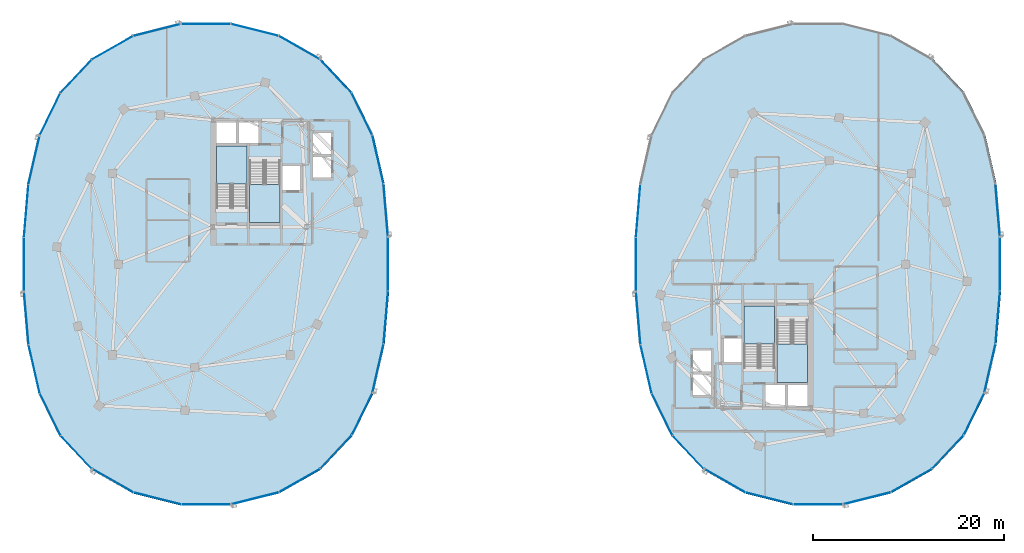
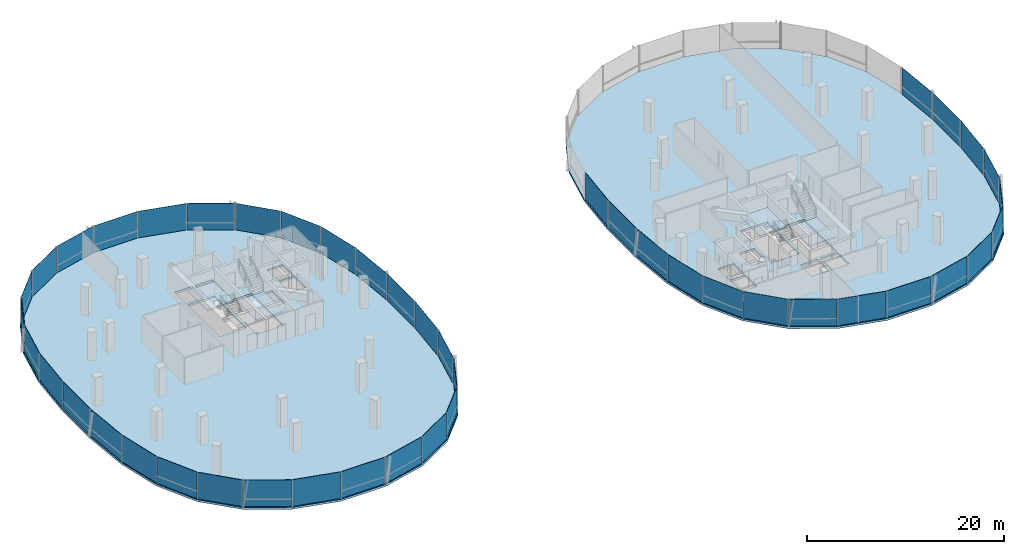
# One storey, part 13 of 24: 45 plates, 6 slabs, 12 elements without a shape of their own.
"""IFC4 building model written with IfcOpenShell, lengths in metres."""

from ifc_helpers import new_model, si_unit, direction, frame, origin, origin_2d, place, context, subcontext, project, spatial, polyline, rectangle, outline, extrude, material, layer, layer_set, type_object, element, aggregate, save


model = new_model("IFC4")

# Units and contexts
model_context = context("Model", 3, precision=1e-05, world=origin(), true_north=direction((0.0, 1.0)))
body_context = subcontext(model_context, "Body", "Model", "MODEL_VIEW")
ifc_project = project(units=[si_unit("LENGTHUNIT", "METRE"), si_unit("AREAUNIT", "SQUARE_METRE"), si_unit("VOLUMEUNIT", "CUBIC_METRE"), si_unit("PLANEANGLEUNIT", "RADIAN"), si_unit("MASSUNIT", "GRAM", prefix="KILO"), si_unit("THERMODYNAMICTEMPERATUREUNIT", "KELVIN"), si_unit("POWERUNIT", "WATT")], contexts=[model_context])

# Site, building, storey
site_placement = place(None, origin())
site = spatial("IfcSite", under=ifc_project, at=site_placement, CompositionType="ELEMENT")
building_placement = place(site_placement, origin())
building = spatial("IfcBuilding", under=site, at=building_placement, Name="Cundina Bronze Exchange", CompositionType="ELEMENT")
storey_placement = place(building_placement, frame((0.0, 0.0, 227.800048828125)))
storey = spatial("IfcBuildingStorey", under=building, at=storey_placement, Name="L60", CompositionType="ELEMENT", Elevation=227.800048828125)

# Curtain wall, plates
ifc_material_1 = material(Name="Anodised Bronze Aluminium 6063-T6", Category="aluminium")
curtain_wall_type = type_object("IfcCurtainWallType", Name="CWS-UPP-OFF", PredefinedType="NOTDEFINED", material=ifc_material_1)
curtain_wall_1_placement = place(storey_placement, origin())
curtain_wall_1 = element("IfcCurtainWall", 1, at=curtain_wall_1_placement, inside=storey, type_object=curtain_wall_type, Name="L60 CW-05 Curtain Wall Run CWR-L60-W1", PredefinedType="NOTDEFINED")
ifc_material_2 = material(Name="Heat-Strengthened Solar-Control Bronze Safety Glass 28mm", Category="glass")
ifc_layer_1 = layer(ifc_material_2, 0.028076171875, Name="Heat-Strengthened Solar-Control Bronze Safety Glass 28mm", Category="glass")
ifc_layer_set_1 = layer_set([ifc_layer_1], Name="Heat-Strengthened Solar-Control Bronze Safety Glass 28mm")
plate_type_1 = type_object("IfcPlateType", Name="PLT-GLZ-VIS28", PredefinedType="CURTAIN_PANEL", material=ifc_layer_set_1)
plate_1_placement = place(storey_placement, frame((-13.198486328125, 5.60693359375, 0.02001953125), z_axis=(0.0, 0.0, 1.0), x_axis=(-0.083747411454, 0.996487015006, 0.0)))
plate_1 = element("IfcPlate", 2, at=plate_1_placement, type_object=plate_type_1, Name="CW-05 Glazed Panel 1", PredefinedType="CURTAIN_PANEL", context=body_context, shape_type="SweptSolid", body=[
    extrude(rectangle(XDim=5.474609375, YDim=0.028076171875, at=origin_2d()), origin(), (0.0, 0.0, 1.0), 3.300048828125),
])
plate_2_placement = place(storey_placement, frame((-14.01611328125, 10.92578125, 0.02001953125), z_axis=(0.0, 0.0, 1.0), x_axis=(-0.223284141459, 0.974753400698, 0.0)))
plate_2 = element("IfcPlate", 3, at=plate_2_placement, type_object=plate_type_1, Name="CW-05 Glazed Panel 2", PredefinedType="CURTAIN_PANEL", context=body_context, shape_type="SweptSolid", body=[
    extrude(rectangle(XDim=5.167724609375, YDim=0.028076171875, at=origin_2d()), origin(), (0.0, 0.0, 1.0), 3.300048828125),
])
plate_3_placement = place(storey_placement, frame((-15.685302734375, 15.686767578125, 0.02001953125), z_axis=(0.0, 0.0, 1.0), x_axis=(-0.440503330345, 0.897750976582, 0.0)))
plate_3 = element("IfcPlate", 4, at=plate_3_placement, type_object=plate_type_1, Name="CW-05 Glazed Panel 3", PredefinedType="CURTAIN_PANEL", context=body_context, shape_type="SweptSolid", body=[
    extrude(rectangle(XDim=4.863525390625, YDim=0.028076171875, at=origin_2d()), origin(), (0.0, 0.0, 1.0), 3.300048828125),
])
plate_4_placement = place(storey_placement, frame((-18.4208984375, 19.6552734375, 0.02001953125), z_axis=(0.0, 0.0, 1.0), x_axis=(-0.684343512797, 0.72915976061, 0.0)))
plate_4 = element("IfcPlate", 5, at=plate_4_placement, type_object=plate_type_1, Name="CW-05 Glazed Panel 4", PredefinedType="CURTAIN_PANEL", context=body_context, shape_type="SweptSolid", body=[
    extrude(rectangle(XDim=4.773193359375, YDim=0.028076171875, at=origin_2d()), origin(), (0.0, 0.0, 1.0), 3.300048828125),
])
plate_5_placement = place(storey_placement, frame((-26.88720703125, 24.49609375, 0.02001953125), z_axis=(0.0, 0.0, 1.0), x_axis=(-0.969731542251, 0.244173577528, 0.0)))
plate_5 = element("IfcPlate", 6, at=plate_5_placement, type_object=plate_type_1, Name="CW-05 Glazed Panel 6", PredefinedType="CURTAIN_PANEL", context=body_context, shape_type="SweptSolid", body=[
    extrude(rectangle(XDim=5.0908203125, YDim=0.028076171875, at=origin_2d()), origin(), (0.0, 0.0, 1.0), 3.300048828125),
])
plate_6_placement = place(storey_placement, frame((-32.0, 25.125, 0.02001953125), z_axis=(0.0, 0.0, 1.0), x_axis=(-1.0, 0.0, 0.0)))
plate_6 = element("IfcPlate", 7, at=plate_6_placement, type_object=plate_type_1, Name="CW-05 Glazed Panel 7", PredefinedType="CURTAIN_PANEL", context=body_context, shape_type="SweptSolid", body=[
    extrude(rectangle(XDim=5.16796875, YDim=0.028076171875, at=origin_2d()), origin(), (0.0, 0.0, 1.0), 3.300048828125),
])

curtain_wall_2_placement = place(storey_placement, origin())
curtain_wall_2 = element("IfcCurtainWall", 8, at=curtain_wall_2_placement, inside=storey, type_object=curtain_wall_type, Name="L60 CW-05 Curtain Wall Run CWR-L60-W2", PredefinedType="NOTDEFINED")
plate_7_placement = place(storey_placement, frame((-37.11279296875, 24.49609375, 0.02001953125), z_axis=(0.0, 0.0, 1.0), x_axis=(-0.969731542251, -0.244173577528, 0.0)))
plate_7 = element("IfcPlate", 9, at=plate_7_placement, type_object=plate_type_1, Name="CW-05 Glazed Panel 1", PredefinedType="CURTAIN_PANEL", context=body_context, shape_type="SweptSolid", body=[
    extrude(rectangle(XDim=5.0908203125, YDim=0.028076171875, at=origin_2d()), origin(), (0.0, 0.0, 1.0), 3.300048828125),
])
plate_8_placement = place(storey_placement, frame((-41.769287109375, 22.64111328125, 0.02001953125), z_axis=(0.0, 0.0, 1.0), x_axis=(-0.869572506985, -0.493805280547, 0.0)))
plate_8 = element("IfcPlate", 10, at=plate_8_placement, type_object=plate_type_1, Name="CW-05 Glazed Panel 2", PredefinedType="CURTAIN_PANEL", context=body_context, shape_type="SweptSolid", body=[
    extrude(rectangle(XDim=4.907958984375, YDim=0.028076171875, at=origin_2d()), origin(), (0.0, 0.0, 1.0), 3.300048828125),
])
plate_9_placement = place(storey_placement, frame((-45.5791015625, 19.6552734375, 0.02001953125), z_axis=(0.0, 0.0, 1.0), x_axis=(-0.684343512797, -0.72915976061, 0.0)))
plate_9 = element("IfcPlate", 11, at=plate_9_placement, type_object=plate_type_1, Name="CW-05 Glazed Panel 3", PredefinedType="CURTAIN_PANEL", context=body_context, shape_type="SweptSolid", body=[
    extrude(rectangle(XDim=4.773193359375, YDim=0.028076171875, at=origin_2d()), origin(), (0.0, 0.0, 1.0), 3.300048828125),
])
plate_10_placement = place(storey_placement, frame((-49.98388671875, 10.92578125, 0.02001953125), z_axis=(0.0, 0.0, 1.0), x_axis=(-0.223284141459, -0.974753400698, 0.0)))
plate_10 = element("IfcPlate", 12, at=plate_10_placement, type_object=plate_type_1, Name="CW-05 Glazed Panel 5", PredefinedType="CURTAIN_PANEL", context=body_context, shape_type="SweptSolid", body=[
    extrude(rectangle(XDim=5.167724609375, YDim=0.028076171875, at=origin_2d()), origin(), (0.0, 0.0, 1.0), 3.300048828125),
])
plate_11_placement = place(storey_placement, frame((-50.801513671875, 5.60693359375, 0.02001953125), z_axis=(0.0, 0.0, 1.0), x_axis=(-0.083747411454, -0.996487015006, 0.0)))
plate_11 = element("IfcPlate", 13, at=plate_11_placement, type_object=plate_type_1, Name="CW-05 Glazed Panel 6", PredefinedType="CURTAIN_PANEL", context=body_context, shape_type="SweptSolid", body=[
    extrude(rectangle(XDim=5.474609375, YDim=0.028076171875, at=origin_2d()), origin(), (0.0, 0.0, 1.0), 3.300048828125),
])
plate_12_placement = place(storey_placement, frame((-51.033935546875, 0.0, 0.02001953125), z_axis=(0.0, 0.0, 1.0), x_axis=(0.0, -1.0, 0.0)))
plate_12 = element("IfcPlate", 14, at=plate_12_placement, type_object=plate_type_1, Name="CW-05 Glazed Panel 7", PredefinedType="CURTAIN_PANEL", context=body_context, shape_type="SweptSolid", body=[
    extrude(rectangle(XDim=5.597900390625, YDim=0.028076171875, at=origin_2d()), origin(), (0.0, 0.0, 1.0), 3.300048828125),
])

curtain_wall_3_placement = place(storey_placement, origin())
curtain_wall_3 = element("IfcCurtainWall", 15, at=curtain_wall_3_placement, inside=storey, type_object=curtain_wall_type, Name="L60 CW-05 Curtain Wall Run CWR-L60-W3", PredefinedType="NOTDEFINED")
plate_13_placement = place(storey_placement, frame((-50.801513671875, -5.60693359375, 0.02001953125), z_axis=(0.0, 0.0, 1.0), x_axis=(0.083747411454, -0.996487015006, 0.0)))
plate_13 = element("IfcPlate", 16, at=plate_13_placement, type_object=plate_type_1, Name="CW-05 Glazed Panel 1", PredefinedType="CURTAIN_PANEL", context=body_context, shape_type="SweptSolid", body=[
    extrude(rectangle(XDim=5.474609375, YDim=0.028076171875, at=origin_2d()), origin(), (0.0, 0.0, 1.0), 3.300048828125),
])
plate_14_placement = place(storey_placement, frame((-49.98388671875, -10.92578125, 0.02001953125), z_axis=(0.0, 0.0, 1.0), x_axis=(0.223284141459, -0.974753400698, 0.0)))
plate_14 = element("IfcPlate", 17, at=plate_14_placement, type_object=plate_type_1, Name="CW-05 Glazed Panel 2", PredefinedType="CURTAIN_PANEL", context=body_context, shape_type="SweptSolid", body=[
    extrude(rectangle(XDim=5.167724609375, YDim=0.028076171875, at=origin_2d()), origin(), (0.0, 0.0, 1.0), 3.300048828125),
])
plate_15_placement = place(storey_placement, frame((-45.5791015625, -19.6552734375, 0.02001953125), z_axis=(0.0, 0.0, 1.0), x_axis=(0.684343512797, -0.72915976061, 0.0)))
plate_15 = element("IfcPlate", 18, at=plate_15_placement, type_object=plate_type_1, Name="CW-05 Glazed Panel 4", PredefinedType="CURTAIN_PANEL", context=body_context, shape_type="SweptSolid", body=[
    extrude(rectangle(XDim=4.773193359375, YDim=0.028076171875, at=origin_2d()), origin(), (0.0, 0.0, 1.0), 3.300048828125),
])
plate_16_placement = place(storey_placement, frame((-41.769287109375, -22.64111328125, 0.02001953125), z_axis=(0.0, 0.0, 1.0), x_axis=(0.869572506985, -0.493805280547, 0.0)))
plate_16 = element("IfcPlate", 19, at=plate_16_placement, type_object=plate_type_1, Name="CW-05 Glazed Panel 5", PredefinedType="CURTAIN_PANEL", context=body_context, shape_type="SweptSolid", body=[
    extrude(rectangle(XDim=4.907958984375, YDim=0.028076171875, at=origin_2d()), origin(), (0.0, 0.0, 1.0), 3.300048828125),
])
plate_17_placement = place(storey_placement, frame((-37.11279296875, -24.49609375, 0.02001953125), z_axis=(0.0, 0.0, 1.0), x_axis=(0.969731542251, -0.244173577528, 0.0)))
plate_17 = element("IfcPlate", 20, at=plate_17_placement, type_object=plate_type_1, Name="CW-05 Glazed Panel 6", PredefinedType="CURTAIN_PANEL", context=body_context, shape_type="SweptSolid", body=[
    extrude(rectangle(XDim=5.0908203125, YDim=0.028076171875, at=origin_2d()), origin(), (0.0, 0.0, 1.0), 3.300048828125),
])
plate_18_placement = place(storey_placement, frame((-32.0, -25.125, 0.02001953125), z_axis=(0.0, 0.0, 1.0), x_axis=(1.0, 0.0, 0.0)))
plate_18 = element("IfcPlate", 21, at=plate_18_placement, type_object=plate_type_1, Name="CW-05 Glazed Panel 7", PredefinedType="CURTAIN_PANEL", context=body_context, shape_type="SweptSolid", body=[
    extrude(rectangle(XDim=5.16796875, YDim=0.028076171875, at=origin_2d()), origin(), (0.0, 0.0, 1.0), 3.300048828125),
])

curtain_wall_4_placement = place(storey_placement, origin())
curtain_wall_4 = element("IfcCurtainWall", 22, at=curtain_wall_4_placement, inside=storey, type_object=curtain_wall_type, Name="L60 CW-05 Curtain Wall Run CWR-L60-W4", PredefinedType="NOTDEFINED")
plate_19_placement = place(storey_placement, frame((-26.88720703125, -24.49609375, 0.02001953125), z_axis=(0.0, 0.0, 1.0), x_axis=(0.969731542251, 0.244173577528, 0.0)))
plate_19 = element("IfcPlate", 23, at=plate_19_placement, type_object=plate_type_1, Name="CW-05 Glazed Panel 1", PredefinedType="CURTAIN_PANEL", context=body_context, shape_type="SweptSolid", body=[
    extrude(rectangle(XDim=5.0908203125, YDim=0.028076171875, at=origin_2d()), origin(), (0.0, 0.0, 1.0), 3.300048828125),
])
plate_20_placement = place(storey_placement, frame((-18.4208984375, -19.6552734375, 0.02001953125), z_axis=(0.0, 0.0, 1.0), x_axis=(0.684343512797, 0.72915976061, 0.0)))
plate_20 = element("IfcPlate", 24, at=plate_20_placement, type_object=plate_type_1, Name="CW-05 Glazed Panel 3", PredefinedType="CURTAIN_PANEL", context=body_context, shape_type="SweptSolid", body=[
    extrude(rectangle(XDim=4.773193359375, YDim=0.028076171875, at=origin_2d()), origin(), (0.0, 0.0, 1.0), 3.300048828125),
])
plate_21_placement = place(storey_placement, frame((-15.685302734375, -15.686767578125, 0.02001953125), z_axis=(0.0, 0.0, 1.0), x_axis=(0.440503330345, 0.897750976582, 0.0)))
plate_21 = element("IfcPlate", 25, at=plate_21_placement, type_object=plate_type_1, Name="CW-05 Glazed Panel 4", PredefinedType="CURTAIN_PANEL", context=body_context, shape_type="SweptSolid", body=[
    extrude(rectangle(XDim=4.863525390625, YDim=0.028076171875, at=origin_2d()), origin(), (0.0, 0.0, 1.0), 3.300048828125),
])
plate_22_placement = place(storey_placement, frame((-14.01611328125, -10.92578125, 0.02001953125), z_axis=(0.0, 0.0, 1.0), x_axis=(0.223284141459, 0.974753400698, 0.0)))
plate_22 = element("IfcPlate", 26, at=plate_22_placement, type_object=plate_type_1, Name="CW-05 Glazed Panel 5", PredefinedType="CURTAIN_PANEL", context=body_context, shape_type="SweptSolid", body=[
    extrude(rectangle(XDim=5.167724609375, YDim=0.028076171875, at=origin_2d()), origin(), (0.0, 0.0, 1.0), 3.300048828125),
])
plate_23_placement = place(storey_placement, frame((-13.198486328125, -5.60693359375, 0.02001953125), z_axis=(0.0, 0.0, 1.0), x_axis=(0.083747411454, 0.996487015006, 0.0)))
plate_23 = element("IfcPlate", 27, at=plate_23_placement, type_object=plate_type_1, Name="CW-05 Glazed Panel 6", PredefinedType="CURTAIN_PANEL", context=body_context, shape_type="SweptSolid", body=[
    extrude(rectangle(XDim=5.474609375, YDim=0.028076171875, at=origin_2d()), origin(), (0.0, 0.0, 1.0), 3.300048828125),
])

# Curtain wall, plate
curtain_wall_5_placement = place(storey_placement, origin())
curtain_wall_5 = element("IfcCurtainWall", 28, at=curtain_wall_5_placement, inside=storey, type_object=curtain_wall_type, Name="L60 CW-05 Curtain Wall Run CWR-L60-E1", PredefinedType="NOTDEFINED")
plate_24_placement = place(storey_placement, frame((50.801513671875, 5.60693359375, 0.02001953125), z_axis=(0.0, 0.0, 1.0), x_axis=(-0.083747411454, 0.996487015006, 0.0)))
plate_24 = element("IfcPlate", 29, at=plate_24_placement, type_object=plate_type_1, Name="CW-05 Glazed Panel 1", PredefinedType="CURTAIN_PANEL", context=body_context, shape_type="SweptSolid", body=[
    extrude(rectangle(XDim=5.474609375, YDim=0.028076171875, at=origin_2d()), origin(), (0.0, 0.0, 1.0), 3.300048828125),
])
aggregate(curtain_wall_5, [plate_24])

# Curtain wall, plates
curtain_wall_6_placement = place(storey_placement, origin())
curtain_wall_6 = element("IfcCurtainWall", 30, at=curtain_wall_6_placement, inside=storey, type_object=curtain_wall_type, Name="L60 CW-05 Curtain Wall Run CWR-L60-E2", PredefinedType="NOTDEFINED")
plate_25_placement = place(storey_placement, frame((13.198486328125, 5.60693359375, 0.02001953125), z_axis=(0.0, 0.0, 1.0), x_axis=(-0.083747411454, -0.996487015006, 0.0)))
plate_25 = element("IfcPlate", 31, at=plate_25_placement, type_object=plate_type_1, Name="CW-05 Glazed Panel 6", PredefinedType="CURTAIN_PANEL", context=body_context, shape_type="SweptSolid", body=[
    extrude(rectangle(XDim=5.474609375, YDim=0.028076171875, at=origin_2d()), origin(), (0.0, 0.0, 1.0), 3.300048828125),
])
plate_26_placement = place(storey_placement, frame((12.966064453125, 0.0, 0.02001953125), z_axis=(0.0, 0.0, 1.0), x_axis=(0.0, -1.0, 0.0)))
plate_26 = element("IfcPlate", 32, at=plate_26_placement, type_object=plate_type_1, Name="CW-05 Glazed Panel 7", PredefinedType="CURTAIN_PANEL", context=body_context, shape_type="SweptSolid", body=[
    extrude(rectangle(XDim=5.597900390625, YDim=0.028076171875, at=origin_2d()), origin(), (0.0, 0.0, 1.0), 3.300048828125),
])
aggregate(curtain_wall_6, [plate_25, plate_26])

curtain_wall_7_placement = place(storey_placement, origin())
curtain_wall_7 = element("IfcCurtainWall", 33, at=curtain_wall_7_placement, inside=storey, type_object=curtain_wall_type, Name="L60 CW-05 Curtain Wall Run CWR-L60-E3", PredefinedType="NOTDEFINED")
plate_27_placement = place(storey_placement, frame((13.198486328125, -5.60693359375, 0.02001953125), z_axis=(0.0, 0.0, 1.0), x_axis=(0.083747411454, -0.996487015006, 0.0)))
plate_27 = element("IfcPlate", 34, at=plate_27_placement, type_object=plate_type_1, Name="CW-05 Glazed Panel 1", PredefinedType="CURTAIN_PANEL", context=body_context, shape_type="SweptSolid", body=[
    extrude(rectangle(XDim=5.474609375, YDim=0.028076171875, at=origin_2d()), origin(), (0.0, 0.0, 1.0), 3.300048828125),
])
plate_28_placement = place(storey_placement, frame((14.01611328125, -10.92578125, 0.02001953125), z_axis=(0.0, 0.0, 1.0), x_axis=(0.223284141459, -0.974753400698, 0.0)))
plate_28 = element("IfcPlate", 35, at=plate_28_placement, type_object=plate_type_1, Name="CW-05 Glazed Panel 2", PredefinedType="CURTAIN_PANEL", context=body_context, shape_type="SweptSolid", body=[
    extrude(rectangle(XDim=5.167724609375, YDim=0.028076171875, at=origin_2d()), origin(), (0.0, 0.0, 1.0), 3.300048828125),
])
plate_29_placement = place(storey_placement, frame((18.4208984375, -19.6552734375, 0.02001953125), z_axis=(0.0, 0.0, 1.0), x_axis=(0.684343512797, -0.72915976061, 0.0)))
plate_29 = element("IfcPlate", 36, at=plate_29_placement, type_object=plate_type_1, Name="CW-05 Glazed Panel 4", PredefinedType="CURTAIN_PANEL", context=body_context, shape_type="SweptSolid", body=[
    extrude(rectangle(XDim=4.773193359375, YDim=0.028076171875, at=origin_2d()), origin(), (0.0, 0.0, 1.0), 3.300048828125),
])
plate_30_placement = place(storey_placement, frame((22.230712890625, -22.64111328125, 0.02001953125), z_axis=(0.0, 0.0, 1.0), x_axis=(0.869572506985, -0.493805280547, 0.0)))
plate_30 = element("IfcPlate", 37, at=plate_30_placement, type_object=plate_type_1, Name="CW-05 Glazed Panel 5", PredefinedType="CURTAIN_PANEL", context=body_context, shape_type="SweptSolid", body=[
    extrude(rectangle(XDim=4.907958984375, YDim=0.028076171875, at=origin_2d()), origin(), (0.0, 0.0, 1.0), 3.300048828125),
])
plate_31_placement = place(storey_placement, frame((26.88720703125, -24.49609375, 0.02001953125), z_axis=(0.0, 0.0, 1.0), x_axis=(0.969731542251, -0.244173577528, 0.0)))
plate_31 = element("IfcPlate", 38, at=plate_31_placement, type_object=plate_type_1, Name="CW-05 Glazed Panel 6", PredefinedType="CURTAIN_PANEL", context=body_context, shape_type="SweptSolid", body=[
    extrude(rectangle(XDim=5.0908203125, YDim=0.028076171875, at=origin_2d()), origin(), (0.0, 0.0, 1.0), 3.300048828125),
])
plate_32_placement = place(storey_placement, frame((32.0, -25.125, 0.02001953125), z_axis=(0.0, 0.0, 1.0), x_axis=(1.0, 0.0, 0.0)))
plate_32 = element("IfcPlate", 39, at=plate_32_placement, type_object=plate_type_1, Name="CW-05 Glazed Panel 7", PredefinedType="CURTAIN_PANEL", context=body_context, shape_type="SweptSolid", body=[
    extrude(rectangle(XDim=5.16796875, YDim=0.028076171875, at=origin_2d()), origin(), (0.0, 0.0, 1.0), 3.300048828125),
])

curtain_wall_8_placement = place(storey_placement, origin())
curtain_wall_8 = element("IfcCurtainWall", 40, at=curtain_wall_8_placement, inside=storey, type_object=curtain_wall_type, Name="L60 CW-05 Curtain Wall Run CWR-L60-E4", PredefinedType="NOTDEFINED")
plate_33_placement = place(storey_placement, frame((37.11279296875, -24.49609375, 0.02001953125), z_axis=(0.0, 0.0, 1.0), x_axis=(0.969731542251, 0.244173577528, 0.0)))
plate_33 = element("IfcPlate", 41, at=plate_33_placement, type_object=plate_type_1, Name="CW-05 Glazed Panel 1", PredefinedType="CURTAIN_PANEL", context=body_context, shape_type="SweptSolid", body=[
    extrude(rectangle(XDim=5.0908203125, YDim=0.028076171875, at=origin_2d()), origin(), (0.0, 0.0, 1.0), 3.300048828125),
])
plate_34_placement = place(storey_placement, frame((45.5791015625, -19.6552734375, 0.02001953125), z_axis=(0.0, 0.0, 1.0), x_axis=(0.684343512797, 0.72915976061, 0.0)))
plate_34 = element("IfcPlate", 42, at=plate_34_placement, type_object=plate_type_1, Name="CW-05 Glazed Panel 3", PredefinedType="CURTAIN_PANEL", context=body_context, shape_type="SweptSolid", body=[
    extrude(rectangle(XDim=4.773193359375, YDim=0.028076171875, at=origin_2d()), origin(), (0.0, 0.0, 1.0), 3.300048828125),
])
plate_35_placement = place(storey_placement, frame((48.314697265625, -15.686767578125, 0.02001953125), z_axis=(0.0, 0.0, 1.0), x_axis=(0.440503330345, 0.897750976582, 0.0)))
plate_35 = element("IfcPlate", 43, at=plate_35_placement, type_object=plate_type_1, Name="CW-05 Glazed Panel 4", PredefinedType="CURTAIN_PANEL", context=body_context, shape_type="SweptSolid", body=[
    extrude(rectangle(XDim=4.863525390625, YDim=0.028076171875, at=origin_2d()), origin(), (0.0, 0.0, 1.0), 3.300048828125),
])
plate_36_placement = place(storey_placement, frame((49.98388671875, -10.92578125, 0.02001953125), z_axis=(0.0, 0.0, 1.0), x_axis=(0.223284141459, 0.974753400698, 0.0)))
plate_36 = element("IfcPlate", 44, at=plate_36_placement, type_object=plate_type_1, Name="CW-05 Glazed Panel 5", PredefinedType="CURTAIN_PANEL", context=body_context, shape_type="SweptSolid", body=[
    extrude(rectangle(XDim=5.167724609375, YDim=0.028076171875, at=origin_2d()), origin(), (0.0, 0.0, 1.0), 3.300048828125),
])
plate_37_placement = place(storey_placement, frame((50.801513671875, -5.60693359375, 0.02001953125), z_axis=(0.0, 0.0, 1.0), x_axis=(0.083747411454, 0.996487015006, 0.0)))
plate_37 = element("IfcPlate", 45, at=plate_37_placement, type_object=plate_type_1, Name="CW-05 Glazed Panel 6", PredefinedType="CURTAIN_PANEL", context=body_context, shape_type="SweptSolid", body=[
    extrude(rectangle(XDim=5.474609375, YDim=0.028076171875, at=origin_2d()), origin(), (0.0, 0.0, 1.0), 3.300048828125),
])

# Plate
ifc_material_3 = material(Name="Dark Bronze Spandrel Glass Panel 32mm", Category="glass")
ifc_layer_2 = layer(ifc_material_3, 0.031982421875, Name="Dark Bronze Spandrel Glass Panel 32mm", Category="glass")
ifc_layer_set_2 = layer_set([ifc_layer_2], Name="Dark Bronze Spandrel Glass Panel 32mm")
plate_type_2 = type_object("IfcPlateType", Name="PLT-SPN-BRZ32", PredefinedType="CURTAIN_PANEL", material=ifc_layer_set_2)
plate_38_placement = place(storey_placement, frame((-22.230712890625, 22.64111328125, 0.02001953125), z_axis=(0.0, 0.0, 1.0), x_axis=(-0.869572506985, 0.493805280547, 0.0)))
plate_38 = element("IfcPlate", 46, at=plate_38_placement, type_object=plate_type_2, Name="CW-05 Glazed Panel 5", PredefinedType="CURTAIN_PANEL", context=body_context, shape_type="SweptSolid", body=[
    extrude(rectangle(XDim=4.907958984375, YDim=0.031982421875, at=origin_2d()), origin(), (0.0, 0.0, 1.0), 3.300048828125),
])

aggregate(curtain_wall_1, [plate_1, plate_2, plate_3, plate_4, plate_38, plate_5, plate_6])

plate_39_placement = place(storey_placement, frame((-48.314697265625, 15.686767578125, 0.02001953125), z_axis=(0.0, 0.0, 1.0), x_axis=(-0.440503330345, -0.897750976582, 0.0)))
plate_39 = element("IfcPlate", 47, at=plate_39_placement, type_object=plate_type_2, Name="CW-05 Glazed Panel 4", PredefinedType="CURTAIN_PANEL", context=body_context, shape_type="SweptSolid", body=[
    extrude(rectangle(XDim=4.863525390625, YDim=0.031982421875, at=origin_2d()), origin(), (0.0, 0.0, 1.0), 3.300048828125),
])

aggregate(curtain_wall_2, [plate_7, plate_8, plate_9, plate_39, plate_10, plate_11, plate_12])

plate_40_placement = place(storey_placement, frame((-48.314697265625, -15.686767578125, 0.02001953125), z_axis=(0.0, 0.0, 1.0), x_axis=(0.440503330345, -0.897750976582, 0.0)))
plate_40 = element("IfcPlate", 48, at=plate_40_placement, type_object=plate_type_2, Name="CW-05 Glazed Panel 3", PredefinedType="CURTAIN_PANEL", context=body_context, shape_type="SweptSolid", body=[
    extrude(rectangle(XDim=4.863525390625, YDim=0.031982421875, at=origin_2d()), origin(), (0.0, 0.0, 1.0), 3.300048828125),
])

aggregate(curtain_wall_3, [plate_13, plate_14, plate_40, plate_15, plate_16, plate_17, plate_18])

plate_41_placement = place(storey_placement, frame((-22.230712890625, -22.64111328125, 0.02001953125), z_axis=(0.0, 0.0, 1.0), x_axis=(0.869572506985, 0.493805280547, 0.0)))
plate_41 = element("IfcPlate", 49, at=plate_41_placement, type_object=plate_type_2, Name="CW-05 Glazed Panel 2", PredefinedType="CURTAIN_PANEL", context=body_context, shape_type="SweptSolid", body=[
    extrude(rectangle(XDim=4.907958984375, YDim=0.031982421875, at=origin_2d()), origin(), (0.0, 0.0, 1.0), 3.300048828125),
])

plate_42_placement = place(storey_placement, frame((-12.966064453125, 0.0, 0.02001953125), z_axis=(0.0, 0.0, 1.0), x_axis=(0.0, 1.0, 0.0)))
plate_42 = element("IfcPlate", 50, at=plate_42_placement, type_object=plate_type_2, Name="CW-05 Glazed Panel 7", PredefinedType="CURTAIN_PANEL", context=body_context, shape_type="SweptSolid", body=[
    extrude(rectangle(XDim=5.597900390625, YDim=0.031982421875, at=origin_2d()), origin(), (0.0, 0.0, 1.0), 3.300048828125),
])

aggregate(curtain_wall_4, [plate_19, plate_41, plate_20, plate_21, plate_22, plate_23, plate_42])

plate_43_placement = place(storey_placement, frame((15.685302734375, -15.686767578125, 0.02001953125), z_axis=(0.0, 0.0, 1.0), x_axis=(0.440503330345, -0.897750976582, 0.0)))
plate_43 = element("IfcPlate", 51, at=plate_43_placement, type_object=plate_type_2, Name="CW-05 Glazed Panel 3", PredefinedType="CURTAIN_PANEL", context=body_context, shape_type="SweptSolid", body=[
    extrude(rectangle(XDim=4.863525390625, YDim=0.031982421875, at=origin_2d()), origin(), (0.0, 0.0, 1.0), 3.300048828125),
])

aggregate(curtain_wall_7, [plate_27, plate_28, plate_43, plate_29, plate_30, plate_31, plate_32])

plate_44_placement = place(storey_placement, frame((41.769287109375, -22.64111328125, 0.02001953125), z_axis=(0.0, 0.0, 1.0), x_axis=(0.869572506985, 0.493805280547, 0.0)))
plate_44 = element("IfcPlate", 52, at=plate_44_placement, type_object=plate_type_2, Name="CW-05 Glazed Panel 2", PredefinedType="CURTAIN_PANEL", context=body_context, shape_type="SweptSolid", body=[
    extrude(rectangle(XDim=4.907958984375, YDim=0.031982421875, at=origin_2d()), origin(), (0.0, 0.0, 1.0), 3.300048828125),
])

plate_45_placement = place(storey_placement, frame((51.033935546875, 0.0, 0.02001953125), z_axis=(0.0, 0.0, 1.0), x_axis=(0.0, 1.0, 0.0)))
plate_45 = element("IfcPlate", 53, at=plate_45_placement, type_object=plate_type_2, Name="CW-05 Glazed Panel 7", PredefinedType="CURTAIN_PANEL", context=body_context, shape_type="SweptSolid", body=[
    extrude(rectangle(XDim=5.597900390625, YDim=0.031982421875, at=origin_2d()), origin(), (0.0, 0.0, 1.0), 3.300048828125),
])

aggregate(curtain_wall_8, [plate_33, plate_44, plate_34, plate_35, plate_36, plate_37, plate_45])

# Stair, slab
ifc_material_4 = material(Name="Concrete C40/50", Category="concrete")
stair_type = type_object("IfcStairType", Name="STR-OFF-360", PredefinedType="HALF_TURN_STAIR", material=ifc_material_4)
stair_1_placement = place(storey_placement, origin())
stair_1 = element("IfcStair", 54, at=stair_1_placement, inside=storey, type_object=stair_type, Name="L60 Smokeproof Exit Stair W1", PredefinedType="HALF_TURN_STAIR")
ifc_layer_3 = layer(ifc_material_4, 0.199951171875, Name="Concrete C40/50", Category="concrete")
ifc_layer_set_3 = layer_set([ifc_layer_3], Name="Concrete C40/50")
slab_type_1 = type_object("IfcSlabType", Name="SLB-LND-200", PredefinedType="LANDING", material=ifc_layer_set_3)
slab_1_placement = place(storey_placement, frame((0.0, 0.0, 1.599853515625)))
slab_1 = element("IfcSlab", 55, at=slab_1_placement, type_object=slab_type_1, Name="ST-W1 landing 1", PredefinedType="LANDING", context=body_context, shape_type="SweptSolid", body=[
    extrude(outline(polyline([(-27.739990234375, 8.3701171875), (-27.739990234375, 12.35009765625), (-30.89990234375, 12.35009765625), (-30.89990234375, 8.3701171875), (-27.739990234375, 8.3701171875)])), origin(), (0.0, 0.0, 1.0), 0.2001953125),
])
aggregate(stair_1, [slab_1])

stair_2_placement = place(storey_placement, origin())
stair_2 = element("IfcStair", 56, at=stair_2_placement, inside=storey, type_object=stair_type, Name="L60 Smokeproof Exit Stair W2", PredefinedType="HALF_TURN_STAIR")
slab_2_placement = place(storey_placement, frame((0.0, 0.0, 1.599853515625)))
slab_2 = element("IfcSlab", 57, at=slab_2_placement, type_object=slab_type_1, Name="ST-W2 landing 1", PredefinedType="LANDING", context=body_context, shape_type="SweptSolid", body=[
    extrude(outline(polyline([(-27.43994140625, 8.330078125), (-27.43994140625, 4.35009765625), (-24.280029296875, 4.35009765625), (-24.280029296875, 8.330078125), (-27.43994140625, 8.330078125)])), origin(), (0.0, 0.0, 1.0), 0.2001953125),
])
aggregate(stair_2, [slab_2])

stair_3_placement = place(storey_placement, origin())
stair_3 = element("IfcStair", 58, at=stair_3_placement, inside=storey, type_object=stair_type, Name="L60 Smokeproof Exit Stair E1", PredefinedType="HALF_TURN_STAIR")
slab_3_placement = place(storey_placement, frame((0.0, 0.0, 1.599853515625)))
slab_3 = element("IfcSlab", 59, at=slab_3_placement, type_object=slab_type_1, Name="ST-E1 landing 1", PredefinedType="LANDING", context=body_context, shape_type="SweptSolid", body=[
    extrude(outline(polyline([(27.739990234375, -8.3701171875), (27.739990234375, -12.35009765625), (30.89990234375, -12.35009765625), (30.89990234375, -8.3701171875), (27.739990234375, -8.3701171875)])), origin(), (0.0, 0.0, 1.0), 0.2001953125),
])
aggregate(stair_3, [slab_3])

stair_4_placement = place(storey_placement, origin())
stair_4 = element("IfcStair", 60, at=stair_4_placement, inside=storey, type_object=stair_type, Name="L60 Smokeproof Exit Stair E2", PredefinedType="HALF_TURN_STAIR")
slab_4_placement = place(storey_placement, frame((0.0, 0.0, 1.599853515625)))
slab_4 = element("IfcSlab", 61, at=slab_4_placement, type_object=slab_type_1, Name="ST-E2 landing 1", PredefinedType="LANDING", context=body_context, shape_type="SweptSolid", body=[
    extrude(outline(polyline([(27.43994140625, -8.330078125), (27.43994140625, -4.35009765625), (24.280029296875, -4.35009765625), (24.280029296875, -8.330078125), (27.43994140625, -8.330078125)])), origin(), (0.0, 0.0, 1.0), 0.2001953125),
])
aggregate(stair_4, [slab_4])

# Slabs
ifc_material_5 = material(Name="Concrete C50/60", Category="concrete")
ifc_layer_4 = layer(ifc_material_5, 0.260009765625, Name="Concrete C50/60", Category="concrete")
ifc_layer_set_4 = layer_set([ifc_layer_4], Name="Concrete C50/60")
slab_type_2 = type_object("IfcSlabType", Name="SLB-OFF-260", PredefinedType="FLOOR", material=ifc_layer_set_4)
slab_5_placement = place(storey_placement, frame((0.0, 0.0, -0.260009765625)))
element("IfcSlab", 62, at=slab_5_placement, inside=storey, type_object=slab_type_2, Name="L60 Leg W Structural Floor Slab", PredefinedType="FLOOR", context=body_context, shape_type="SweptSolid", body=[
    extrude(outline(polyline([(-12.85107421875, 2.843994140625), (-13.31689453125, 8.388916015625), (-14.490966796875, 13.513916015625), (-16.673095703125, 17.9609375), (-20.0009765625, 21.507080078125), (-24.346923828125, 23.97509765625), (-29.37109375, 25.239990234375), (-34.62890625, 25.239990234375), (-39.653076171875, 23.97509765625), (-43.9990234375, 21.507080078125), (-47.326904296875, 17.9609375), (-49.509033203125, 13.513916015625), (-50.68310546875, 8.388916015625), (-51.14892578125, 2.843994140625), (-51.14892578125, -2.843994140625), (-50.68310546875, -8.388916015625), (-49.509033203125, -13.513916015625), (-47.326904296875, -17.9609375), (-43.9990234375, -21.507080078125), (-39.653076171875, -23.97509765625), (-34.62890625, -25.239990234375), (-29.37109375, -25.239990234375), (-24.346923828125, -23.97509765625), (-20.0009765625, -21.507080078125), (-16.673095703125, -17.9609375), (-14.490966796875, -13.513916015625), (-13.31689453125, -8.388916015625), (-12.85107421875, -2.843994140625), (-12.85107421875, 2.843994140625)]), holes=[polyline([(-27.739990234375, 5.85009765625), (-27.739990234375, 12.35009765625), (-30.89990234375, 12.35009765625), (-30.89990234375, 5.85009765625), (-27.739990234375, 5.85009765625)]), polyline([(-27.43994140625, 10.85009765625), (-27.43994140625, 4.35009765625), (-24.280029296875, 4.35009765625), (-24.280029296875, 10.85009765625), (-27.43994140625, 10.85009765625)]), polyline([(-23.97998046875, 10.25), (-22.179931640625, 10.25), (-22.179931640625, 7.75), (-23.97998046875, 7.75), (-23.97998046875, 10.25)]), polyline([(-30.89990234375, 14.949951171875), (-28.85009765625, 14.949951171875), (-28.85009765625, 12.64990234375), (-30.89990234375, 12.64990234375), (-30.89990234375, 14.949951171875)]), polyline([(-28.550048828125, 14.949951171875), (-26.5, 14.949951171875), (-26.5, 12.64990234375), (-28.550048828125, 12.64990234375), (-28.550048828125, 14.949951171875)]), polyline([(-20.800048828125, 13.699951171875), (-18.949951171875, 13.699951171875), (-18.949951171875, 11.449951171875), (-20.800048828125, 11.449951171875), (-20.800048828125, 13.699951171875)]), polyline([(-20.800048828125, 11.300048828125), (-18.949951171875, 11.300048828125), (-18.949951171875, 9.050048828125), (-20.800048828125, 9.050048828125), (-20.800048828125, 11.300048828125)])]), origin(), (0.0, 0.0, 1.0), 0.260009765625),
])
slab_6_placement = place(storey_placement, frame((0.0, 0.0, -0.260009765625)))
element("IfcSlab", 63, at=slab_6_placement, inside=storey, type_object=slab_type_2, Name="L60 Leg E Structural Floor Slab", PredefinedType="FLOOR", context=body_context, shape_type="SweptSolid", body=[
    extrude(outline(polyline([(51.14892578125, 2.843994140625), (50.68310546875, 8.388916015625), (49.509033203125, 13.513916015625), (47.326904296875, 17.9609375), (43.9990234375, 21.507080078125), (39.653076171875, 23.97509765625), (34.62890625, 25.239990234375), (29.37109375, 25.239990234375), (24.346923828125, 23.97509765625), (20.0009765625, 21.507080078125), (16.673095703125, 17.9609375), (14.490966796875, 13.513916015625), (13.31689453125, 8.388916015625), (12.85107421875, 2.843994140625), (12.85107421875, -2.843994140625), (13.31689453125, -8.388916015625), (14.490966796875, -13.513916015625), (16.673095703125, -17.9609375), (20.0009765625, -21.507080078125), (24.346923828125, -23.97509765625), (29.37109375, -25.239990234375), (34.62890625, -25.239990234375), (39.653076171875, -23.97509765625), (43.9990234375, -21.507080078125), (47.326904296875, -17.9609375), (49.509033203125, -13.513916015625), (50.68310546875, -8.388916015625), (51.14892578125, -2.843994140625), (51.14892578125, 2.843994140625)]), holes=[polyline([(27.739990234375, -5.85009765625), (27.739990234375, -12.35009765625), (30.89990234375, -12.35009765625), (30.89990234375, -5.85009765625), (27.739990234375, -5.85009765625)]), polyline([(27.43994140625, -10.85009765625), (27.43994140625, -4.35009765625), (24.280029296875, -4.35009765625), (24.280029296875, -10.85009765625), (27.43994140625, -10.85009765625)]), polyline([(22.179931640625, -7.75), (23.97998046875, -7.75), (23.97998046875, -10.25), (22.179931640625, -10.25), (22.179931640625, -7.75)]), polyline([(28.85009765625, -12.64990234375), (30.89990234375, -12.64990234375), (30.89990234375, -14.949951171875), (28.85009765625, -14.949951171875), (28.85009765625, -12.64990234375)]), polyline([(26.5, -12.64990234375), (28.550048828125, -12.64990234375), (28.550048828125, -14.949951171875), (26.5, -14.949951171875), (26.5, -12.64990234375)]), polyline([(18.949951171875, -11.449951171875), (20.800048828125, -11.449951171875), (20.800048828125, -13.699951171875), (18.949951171875, -13.699951171875), (18.949951171875, -11.449951171875)]), polyline([(18.949951171875, -9.050048828125), (20.800048828125, -9.050048828125), (20.800048828125, -11.300048828125), (18.949951171875, -11.300048828125), (18.949951171875, -9.050048828125)])]), origin(), (0.0, 0.0, 1.0), 0.260009765625),
])

save(model, "model.ifc")
